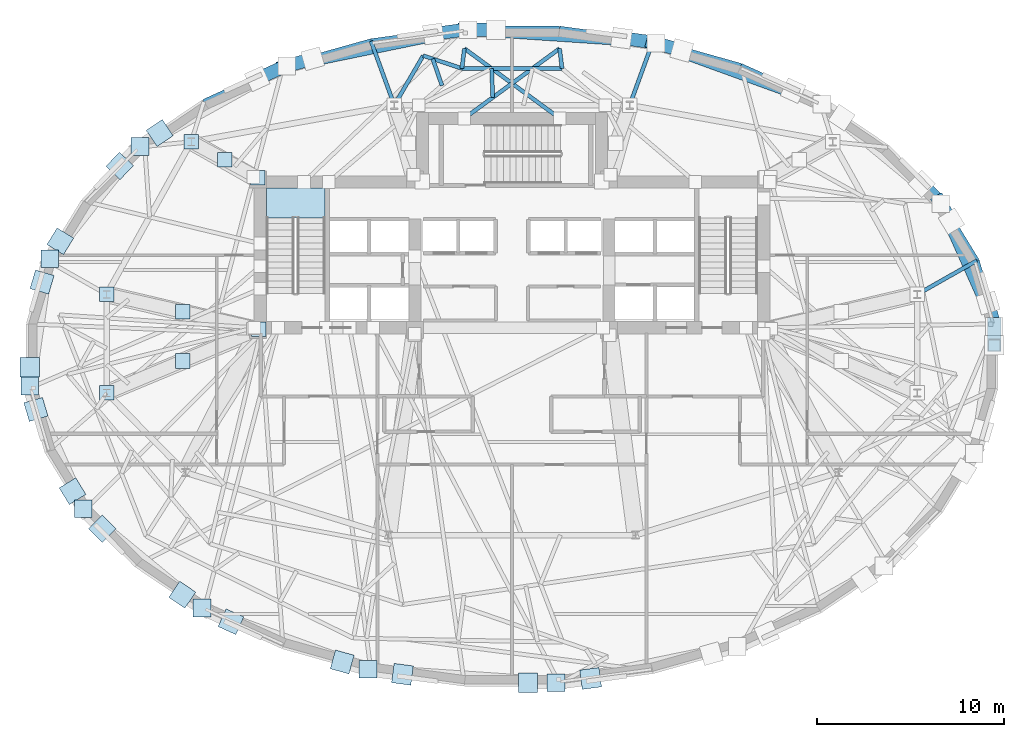
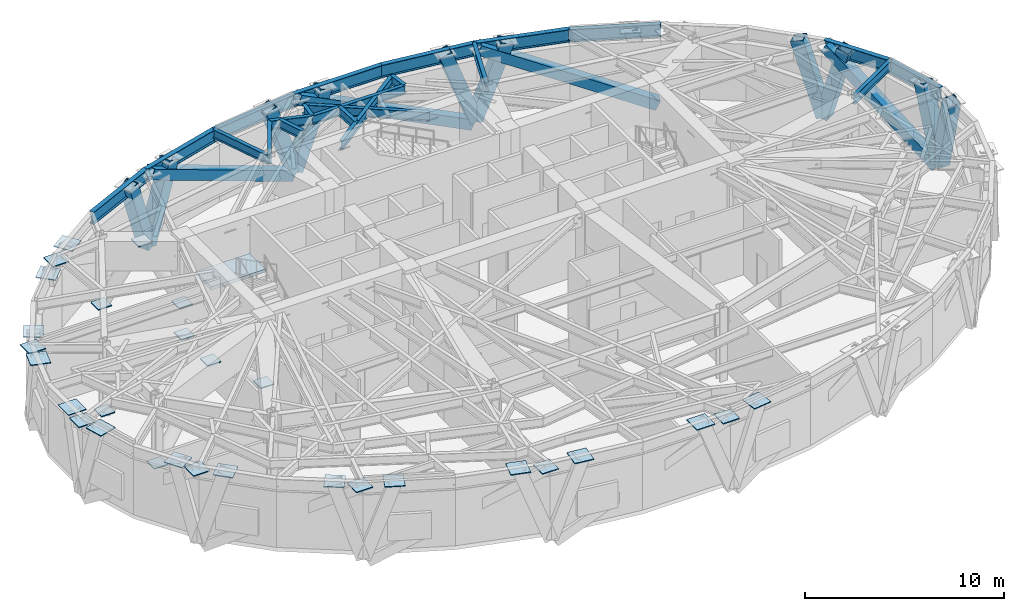
# One storey, part 5 of 13: 29 plates, 21 beams, 14 members, 1 slab, 1 element without a shape of its own.
"""IFC4 building model written with IfcOpenShell, lengths in metres."""

from ifc_helpers import new_model, si_unit, direction, frame, origin, origin_2d, place, context, subcontext, project, spatial, polyline, rectangle, hollow_rectangle, i_section, outline, extrude, material, layer, layer_set, material_profile, profile_set, type_object, element, aggregate, save


model = new_model("IFC4")

# Units and contexts
model_context = context("Model", 3, precision=1e-05, world=origin(), true_north=direction((0.0, 1.0)))
body_context = subcontext(model_context, "Body", "Model", "MODEL_VIEW")
ifc_project = project(units=[si_unit("LENGTHUNIT", "METRE"), si_unit("AREAUNIT", "SQUARE_METRE"), si_unit("VOLUMEUNIT", "CUBIC_METRE"), si_unit("PLANEANGLEUNIT", "RADIAN"), si_unit("MASSUNIT", "GRAM", prefix="KILO")], contexts=[model_context])

# Site, building, storey
site_placement = place(None, origin())
site = spatial("IfcSite", under=ifc_project, at=site_placement, CompositionType="ELEMENT")
building_placement = place(site_placement, origin())
building = spatial("IfcBuilding", under=site, at=building_placement, Name="Keldmark Tower", CompositionType="ELEMENT")
storey_placement = place(building_placement, frame((0.0, 0.0, 135.10009765625)))
storey = spatial("IfcBuildingStorey", under=building, at=storey_placement, Name="L36", CompositionType="ELEMENT", Elevation=135.10009765625)

# Members
ifc_material_1 = material(Name="Steel ASTM A572 Grade 50", Category="steel")
ifc_material_profile_1 = material_profile(ifc_material_1, hollow_rectangle(XDim=0.60009765625, YDim=0.60009765625, WallThickness=0.034912109375, at=origin_2d()), Name="BOX600X600X35")
ifc_profile_set_1 = profile_set([ifc_material_profile_1], Name="Steel ASTM A572 Grade 50")
member_type_1 = type_object("IfcMemberType", Name="Belt Truss Diagonal Brace BOX600", PredefinedType="BRACE", material=ifc_profile_set_1)
member_1_placement = place(storey_placement, frame((25.775390625, 1.856689453125, -0.5400390625), z_axis=(-0.342162647454, 0.763640785008, 0.547519382451), x_axis=(-0.912580273099, -0.408897597388, 0.0)))
element("IfcMember", 1, at=member_1_placement, inside=storey, type_object=member_type_1, Name="L36 Perimeter Belt Truss Brace 01", PredefinedType="BRACE", context=body_context, shape_type="SweptSolid", body=[
    extrude(hollow_rectangle(XDim=0.60009765625, YDim=0.60009765625, WallThickness=0.034912109375, at=origin_2d()), origin(), (0.0, 0.0, 1.0), 8.25537109375),
])
member_2_placement = place(storey_placement, frame((16.28662109375, 13.65087890625, -0.5400390625), z_axis=(-0.84258412922, 0.30492721603, 0.443927221638), x_axis=(-0.340296685426, -0.940318119515, 0.0)))
element("IfcMember", 2, at=member_2_placement, inside=storey, type_object=member_type_1, Name="L36 Perimeter Belt Truss Brace 03", PredefinedType="BRACE", context=body_context, shape_type="SweptSolid", body=[
    extrude(hollow_rectangle(XDim=0.60009765625, YDim=0.60009765625, WallThickness=0.034912109375, at=origin_2d()), origin(), (0.0, 0.0, 1.0), 10.181884765625),
])
member_3_placement = place(storey_placement, frame((7.330078125, 16.830810546875, -0.5400390625), z_axis=(-0.904448162584, 0.060241799636, 0.422308473483), x_axis=(-0.066458883344, -0.997789164516, 0.0)))
element("IfcMember", 3, at=member_3_placement, inside=storey, type_object=member_type_1, Name="L36 Perimeter Belt Truss Brace 04", PredefinedType="BRACE", context=body_context, shape_type="SweptSolid", body=[
    extrude(hollow_rectangle(XDim=0.60009765625, YDim=0.60009765625, WallThickness=0.034912109375, at=origin_2d()), origin(), (0.0, 0.0, 1.0), 10.703125),
])
member_4_placement = place(storey_placement, frame((-2.742431640625, 17.448486328125, -0.5400390625), z_axis=(-0.884550085139, -0.181847127087, 0.429537855434), x_axis=(0.201370198855, -0.979515208158, 0.0)))
element("IfcMember", 4, at=member_4_placement, inside=storey, type_object=member_type_1, Name="L36 Perimeter Belt Truss Brace 05", PredefinedType="BRACE", context=body_context, shape_type="SweptSolid", body=[
    extrude(hollow_rectangle(XDim=0.60009765625, YDim=0.60009765625, WallThickness=0.034912109375, at=origin_2d()), origin(), (0.0, 0.0, 1.0), 10.52294921875),
])
ifc_material_2 = material(Name="Steel ASTM A572 Grade 50", Category="steel")
ifc_material_profile_2 = material_profile(ifc_material_2, hollow_rectangle(XDim=0.699951171875, YDim=0.699951171875, WallThickness=0.044921875, at=origin_2d()), Name="BOX700X700X45")
ifc_profile_set_2 = profile_set([ifc_material_profile_2], Name="Steel ASTM A572 Grade 50")
member_type_2 = type_object("IfcMemberType", Name="Diagrid Zone 2 Brace BOX700X700X45", PredefinedType="BRACE", material=ifc_profile_set_2)
member_5_placement = place(storey_placement, frame((25.815185546875, 1.72119140625, -0.320068359375), z_axis=(-0.071577130516, 0.243773364239, 0.967187293793), x_axis=(-0.959494237083, -0.281728253829, 0.0)))
element("IfcMember", 5, at=member_5_placement, inside=storey, type_object=member_type_2, Name="L36 Perimeter Diagrid Brace 01A", PredefinedType="BRACE", context=body_context, shape_type="SweptSolid", body=[
    extrude(hollow_rectangle(XDim=0.699951171875, YDim=0.699951171875, WallThickness=0.044921875, at=origin_2d()), origin(), (0.0, 0.0, 1.0), 4.632080078125),
])
member_6_placement = place(storey_placement, frame((22.87255859375, 8.28857421875, -0.320068359375), z_axis=(0.139810250165, -0.228746999614, 0.963393950633), x_axis=(0.853247945999, 0.521505457928, 0.0)))
element("IfcMember", 6, at=member_6_placement, inside=storey, type_object=member_type_2, Name="L36 Perimeter Diagrid Brace 01B", PredefinedType="BRACE", context=body_context, shape_type="SweptSolid", body=[
    extrude(hollow_rectangle(XDim=0.699951171875, YDim=0.699951171875, WallThickness=0.044921875, at=origin_2d()), origin(), (0.0, 0.0, 1.0), 4.650146484375),
])
member_7_placement = place(storey_placement, frame((22.877197265625, 8.277587890625, -0.320068359375), z_axis=(-0.201839733277, 0.204710482005, 0.957786166442), x_axis=(-0.712082079642, -0.702096226918, 0.0)))
element("IfcMember", 7, at=member_7_placement, inside=storey, type_object=member_type_2, Name="L36 Perimeter Diagrid Brace 02A", PredefinedType="BRACE", context=body_context, shape_type="SweptSolid", body=[
    extrude(hollow_rectangle(XDim=0.699951171875, YDim=0.699951171875, WallThickness=0.044921875, at=origin_2d()), origin(), (0.0, 0.0, 1.0), 4.677490234375),
])
member_8_placement = place(storey_placement, frame((7.51904296875, 16.808349609375, -0.320068359375), z_axis=(0.329234184816, -0.092384269623, 0.939718041901), x_axis=(0.270168711569, 0.96281299705, 0.0)))
element("IfcMember", 8, at=member_8_placement, inside=storey, type_object=member_type_2, Name="L36 Perimeter Diagrid Brace 03B", PredefinedType="BRACE", context=body_context, shape_type="SweptSolid", body=[
    extrude(hollow_rectangle(XDim=0.699951171875, YDim=0.699951171875, WallThickness=0.044921875, at=origin_2d()), origin(), (0.0, 0.0, 1.0), 4.767333984375),
])
member_9_placement = place(storey_placement, frame((7.530029296875, 16.803955078125, -0.320068359375), z_axis=(-0.34821903324, 0.04693941547, 0.936237254207), x_axis=(-0.133590287898, -0.991036646638, 0.0)))
element("IfcMember", 9, at=member_9_placement, inside=storey, type_object=member_type_2, Name="L36 Perimeter Diagrid Brace 04A", PredefinedType="BRACE", context=body_context, shape_type="SweptSolid", body=[
    extrude(hollow_rectangle(XDim=0.699951171875, YDim=0.699951171875, WallThickness=0.044921875, at=origin_2d()), origin(), (0.0, 0.0, 1.0), 4.78515625),
])
member_10_placement = place(storey_placement, frame((-2.55419921875, 17.4755859375, -0.320068359375), z_axis=(0.354549778014, 0.0, 0.935037140925), x_axis=(0.0, 1.0, 0.0)))
element("IfcMember", 10, at=member_10_placement, inside=storey, type_object=member_type_2, Name="L36 Perimeter Diagrid Brace 04B", PredefinedType="BRACE", context=body_context, shape_type="SweptSolid", body=[
    extrude(hollow_rectangle(XDim=0.699951171875, YDim=0.699951171875, WallThickness=0.044921875, at=origin_2d()), origin(), (0.0, 0.0, 1.0), 4.791259765625),
])
member_11_placement = place(storey_placement, frame((-2.54248046875, 17.4755859375, -0.320068359375), z_axis=(-0.34821903324, -0.04693941547, 0.936237254207), x_axis=(0.133590287898, -0.991036646638, 0.0)))
element("IfcMember", 11, at=member_11_placement, inside=storey, type_object=member_type_2, Name="L36 Perimeter Diagrid Brace 05A", PredefinedType="BRACE", context=body_context, shape_type="SweptSolid", body=[
    extrude(hollow_rectangle(XDim=0.699951171875, YDim=0.699951171875, WallThickness=0.044921875, at=origin_2d()), origin(), (0.0, 0.0, 1.0), 4.78515625),
])
member_12_placement = place(storey_placement, frame((-12.239013671875, 15.482177734375, -0.320068359375), z_axis=(0.329279843453, 0.092382711911, 0.939702197101), x_axis=(-0.270129760861, 0.962823925906, 0.0)))
element("IfcMember", 12, at=member_12_placement, inside=storey, type_object=member_type_2, Name="L36 Perimeter Diagrid Brace 05B", PredefinedType="BRACE", context=body_context, shape_type="SweptSolid", body=[
    extrude(hollow_rectangle(XDim=0.699951171875, YDim=0.699951171875, WallThickness=0.044921875, at=origin_2d()), origin(), (0.0, 0.0, 1.0), 4.767333984375),
])
member_13_placement = place(storey_placement, frame((-12.22802734375, 15.486572265625, -0.320068359375), z_axis=(-0.297968595123, -0.134925288493, 0.944992001472), x_axis=(0.412497692818, -0.910958645285, 0.0)))
element("IfcMember", 13, at=member_13_placement, inside=storey, type_object=member_type_2, Name="L36 Perimeter Diagrid Brace 06A", PredefinedType="BRACE", context=body_context, shape_type="SweptSolid", body=[
    extrude(hollow_rectangle(XDim=0.699951171875, YDim=0.699951171875, WallThickness=0.044921875, at=origin_2d()), origin(), (0.0, 0.0, 1.0), 4.74072265625),
])
member_14_placement = place(storey_placement, frame((25.815185546875, 1.73291015625, -0.320068359375), z_axis=(0.0, -0.248913733545, 0.968525659574), x_axis=(1.0, 0.0, 0.0)))
element("IfcMember", 14, at=member_14_placement, inside=storey, type_object=member_type_2, Name="L36 Perimeter Diagrid Brace 16B", PredefinedType="BRACE", context=body_context, shape_type="SweptSolid", body=[
    extrude(hollow_rectangle(XDim=0.699951171875, YDim=0.699951171875, WallThickness=0.044921875, at=origin_2d()), origin(), (0.0, 0.0, 1.0), 4.62548828125),
])

# Beams
ifc_material_3 = material(Name="Steel ASTM A992 Grade 50", Category="steel")
ifc_material_profile_3 = material_profile(ifc_material_3, i_section(OverallWidth=0.2099609375, OverallDepth=0.537109375, WebThickness=0.010986328125, FlangeThickness=0.017333984375, at=origin_2d()), Name="W21X68")
ifc_profile_set_3 = profile_set([ifc_material_profile_3], Name="Steel ASTM A992 Grade 50")
beam_type_1 = type_object("IfcBeamType", Name="Radial Tie Girder W21X68", PredefinedType="BEAM", material=ifc_profile_set_3)
beam_1_placement = place(storey_placement, frame((2.67919921875, 15.398681640625, 4.011474609375), z_axis=(-1.0, 0.0, 0.0), x_axis=(0.0, -1.0, 0.0)))
element("IfcBeam", 15, at=beam_1_placement, inside=storey, type_object=beam_type_1, Name="L36 Perimeter Collector Ring Beam CRG1-M03", PredefinedType="BEAM", context=body_context, shape_type="SweptSolid", body=[
    extrude(i_section(OverallWidth=0.2099609375, OverallDepth=0.537109375, WebThickness=0.010986328125, FlangeThickness=0.017333984375, at=origin_2d()), origin(), (0.0, 0.0, 1.0), 5.3583984375),
])
beam_2_placement = place(storey_placement, frame((21.697021484375, 3.309814453125, 4.011474609375), z_axis=(0.869901017137, 0.493226337886, 0.0), x_axis=(-0.493226337886, 0.869901017137, 0.0)))
element("IfcBeam", 16, at=beam_2_placement, inside=storey, type_object=beam_type_1, Name="L36 Perimeter Column Bracket RT-02", PredefinedType="BEAM", context=body_context, shape_type="SweptSolid", body=[
    extrude(i_section(OverallWidth=0.2099609375, OverallDepth=0.537109375, WebThickness=0.010986328125, FlangeThickness=0.017333984375, at=origin_2d()), origin(), (0.0, 0.0, 1.0), 3.659423828125),
])
beam_3_placement = place(storey_placement, frame((6.298828125, 13.4326171875, 4.011474609375), z_axis=(0.342162052096, 0.939640958082, 0.0), x_axis=(-0.939640958082, 0.342162052096, 0.0)))
element("IfcBeam", 17, at=beam_3_placement, inside=storey, type_object=beam_type_1, Name="L36 Perimeter Column Bracket RT-07", PredefinedType="BEAM", context=body_context, shape_type="SweptSolid", body=[
    extrude(i_section(OverallWidth=0.2099609375, OverallDepth=0.537109375, WebThickness=0.010986328125, FlangeThickness=0.017333984375, at=origin_2d()), origin(), (0.0, 0.0, 1.0), 3.64892578125),
])
beam_4_placement = place(storey_placement, frame((-2.5625, 12.72509765625, 4.011474609375), z_axis=(0.806875286487, 0.590721822905, 0.0), x_axis=(-0.590721822905, 0.806875286487, 0.0)))
element("IfcBeam", 18, at=beam_4_placement, inside=storey, type_object=beam_type_1, Name="L36 Intermediate Radial Step Girder RT-08M", PredefinedType="BEAM", context=body_context, shape_type="SweptSolid", body=[
    extrude(i_section(OverallWidth=0.2099609375, OverallDepth=0.537109375, WebThickness=0.010986328125, FlangeThickness=0.017333984375, at=origin_2d()), origin(), (0.0, 0.0, 1.0), 6.334228515625),
])
beam_5_placement = place(storey_placement, frame((2.67919921875, 15.398681640625, 4.011474609375), z_axis=(-0.121605054099, 0.992578566572, 0.0), x_axis=(-0.992578566572, -0.121605054099, 0.0)))
element("IfcBeam", 19, at=beam_5_placement, inside=storey, type_object=beam_type_1, Name="L36 Local Collector Chord RT-08C", PredefinedType="BEAM", context=body_context, shape_type="SweptSolid", body=[
    extrude(i_section(OverallWidth=0.2099609375, OverallDepth=0.537109375, WebThickness=0.010986328125, FlangeThickness=0.017333984375, at=origin_2d()), origin(), (0.0, 0.0, 1.0), 1.076171875),
])
beam_6_placement = place(storey_placement, frame((-1.029296875, 13.84765625, 4.011474609375), z_axis=(-0.038692866844, 0.99925115064, 0.0), x_axis=(-0.99925115064, -0.038692866844, 0.0)))
element("IfcBeam", 20, at=beam_6_placement, inside=storey, type_object=beam_type_1, Name="L36 Framing Pin Header PH-019", PredefinedType="BEAM", context=body_context, shape_type="SweptSolid", body=[
    extrude(i_section(OverallWidth=0.2099609375, OverallDepth=0.537109375, WebThickness=0.010986328125, FlangeThickness=0.017333984375, at=origin_2d()), origin(), (0.0, 0.0, 1.0), 1.55224609375),
])
beam_7_placement = place(storey_placement, frame((2.5625, 12.72509765625, 4.011474609375), z_axis=(-0.806875286487, 0.590721822905, 0.0), x_axis=(-0.590721822905, -0.806875286487, 0.0)))
element("IfcBeam", 21, at=beam_7_placement, inside=storey, type_object=beam_type_1, Name="L36 Intermediate Radial Step Girder RT-09M", PredefinedType="BEAM", context=body_context, shape_type="SweptSolid", body=[
    extrude(i_section(OverallWidth=0.2099609375, OverallDepth=0.537109375, WebThickness=0.010986328125, FlangeThickness=0.017333984375, at=origin_2d()), origin(), (0.0, 0.0, 1.0), 6.334228515625),
])
beam_8_placement = place(storey_placement, frame((-2.67919921875, 15.398681640625, 4.011474609375), z_axis=(0.121605054099, 0.992578566572, 0.0), x_axis=(-0.992578566572, 0.121605054099, 0.0)))
element("IfcBeam", 22, at=beam_8_placement, inside=storey, type_object=beam_type_1, Name="L36 Local Collector Chord RT-09C", PredefinedType="BEAM", context=body_context, shape_type="SweptSolid", body=[
    extrude(i_section(OverallWidth=0.2099609375, OverallDepth=0.537109375, WebThickness=0.010986328125, FlangeThickness=0.017333984375, at=origin_2d()), origin(), (0.0, 0.0, 1.0), 1.076171875),
])
beam_9_placement = place(storey_placement, frame((-6.298828125, 13.4326171875, 4.011474609375), z_axis=(-0.342162052096, 0.939640958082, 0.0), x_axis=(-0.939640958082, -0.342162052096, 0.0)))
element("IfcBeam", 23, at=beam_9_placement, inside=storey, type_object=beam_type_1, Name="L36 Perimeter Column Bracket RT-10", PredefinedType="BEAM", context=body_context, shape_type="SweptSolid", body=[
    extrude(i_section(OverallWidth=0.2099609375, OverallDepth=0.537109375, WebThickness=0.010986328125, FlangeThickness=0.017333984375, at=origin_2d()), origin(), (0.0, 0.0, 1.0), 3.64892578125),
])
beam_10_placement = place(storey_placement, frame((-6.298828125, 13.4326171875, 4.011474609375), z_axis=(0.503228303976, 0.864153501456, 0.0), x_axis=(-0.864153501456, 0.503228303976, 0.0)))
element("IfcBeam", 24, at=beam_10_placement, inside=storey, type_object=beam_type_1, Name="L36 Column Step Bracket RT-09RS", PredefinedType="BEAM", context=body_context, shape_type="SweptSolid", body=[
    extrude(i_section(OverallWidth=0.2099609375, OverallDepth=0.537109375, WebThickness=0.010986328125, FlangeThickness=0.017333984375, at=origin_2d()), origin(), (0.0, 0.0, 1.0), 3.071044921875),
])
beam_11_placement = place(storey_placement, frame((-4.75341796875, 16.08642578125, 4.011474609375), z_axis=(0.949184845344, -0.314719127746, 0.0), x_axis=(0.314719127746, 0.949184845344, 0.0)))
element("IfcBeam", 25, at=beam_11_placement, inside=storey, type_object=beam_type_1, Name="L36 Column Step Chord RT-09RK", PredefinedType="BEAM", context=body_context, shape_type="SweptSolid", body=[
    extrude(i_section(OverallWidth=0.2099609375, OverallDepth=0.537109375, WebThickness=0.010986328125, FlangeThickness=0.017333984375, at=origin_2d()), origin(), (0.0, 0.0, 1.0), 2.185302734375),
])
beam_12_placement = place(storey_placement, frame((-3.747802734375, 14.487548828125, 4.011474609375), z_axis=(-0.326334024829, 0.945254518233, 0.0), x_axis=(-0.945254518233, -0.326334024829, 0.0)))
element("IfcBeam", 26, at=beam_12_placement, inside=storey, type_object=beam_type_1, Name="L36 Framing Pin Header PH-039", PredefinedType="BEAM", context=body_context, shape_type="SweptSolid", body=[
    extrude(i_section(OverallWidth=0.2099609375, OverallDepth=0.537109375, WebThickness=0.010986328125, FlangeThickness=0.017333984375, at=origin_2d()), origin(), (0.0, 0.0, 1.0), 1.511962890625),
])
ifc_material_4 = material(Name="Steel ASTM A992 Grade 50", Category="steel")
ifc_material_profile_4 = material_profile(ifc_material_4, i_section(OverallWidth=0.26806640625, OverallDepth=0.77001953125, WebThickness=0.015625, FlangeThickness=0.025390625, at=origin_2d()), Name="W30X132")
ifc_profile_set_4 = profile_set([ifc_material_profile_4], Name="Steel ASTM A992 Grade 50")
beam_type_2 = type_object("IfcBeamType", Name="Spandrel Ring Beam W30X132", PredefinedType="SPANDREL", material=ifc_profile_set_4)
beam_13_placement = place(storey_placement, frame((25.874755859375, 1.72705078125, 3.89501953125), z_axis=(-0.281645899487, 0.959518414259, 0.0), x_axis=(-0.959518414259, -0.281645899487, 0.0)))
element("IfcBeam", 27, at=beam_13_placement, inside=storey, type_object=beam_type_2, Name="L36 Perimeter Spandrel Ring Beam SRB-01", PredefinedType="SPANDREL", context=body_context, shape_type="SweptSolid", body=[
    extrude(i_section(OverallWidth=0.26806640625, OverallDepth=0.77001953125, WebThickness=0.015625, FlangeThickness=0.025390625, at=origin_2d()), origin(), (0.0, 0.0, 1.0), 3.530517578125),
])
beam_14_placement = place(storey_placement, frame((24.88037109375, 5.11474609375, 3.89501953125), z_axis=(-0.521505457928, 0.853247945999, 0.0), x_axis=(-0.853247945999, -0.521505457928, 0.0)))
element("IfcBeam", 28, at=beam_14_placement, inside=storey, type_object=beam_type_2, Name="L36 Perimeter Spandrel Ring Beam SRB-02", PredefinedType="SPANDREL", context=body_context, shape_type="SweptSolid", body=[
    extrude(i_section(OverallWidth=0.26806640625, OverallDepth=0.77001953125, WebThickness=0.015625, FlangeThickness=0.025390625, at=origin_2d()), origin(), (0.0, 0.0, 1.0), 3.739990234375),
])
beam_15_placement = place(storey_placement, frame((16.494140625, 13.620361328125, 3.89501953125), z_axis=(-0.910938924115, 0.412541242221, 0.0), x_axis=(-0.412541242221, -0.910938924115, 0.0)))
element("IfcBeam", 29, at=beam_15_placement, inside=storey, type_object=beam_type_2, Name="L36 Perimeter Spandrel Ring Beam SRB-05", PredefinedType="SPANDREL", context=body_context, shape_type="SweptSolid", body=[
    extrude(i_section(OverallWidth=0.26806640625, OverallDepth=0.77001953125, WebThickness=0.015625, FlangeThickness=0.025390625, at=origin_2d()), origin(), (0.0, 0.0, 1.0), 4.652099609375),
])
beam_16_placement = place(storey_placement, frame((12.25634765625, 15.53955078125, 3.89501953125), z_axis=(-0.962790668442, 0.270248272446, 0.0), x_axis=(-0.270248272446, -0.962790668442, 0.0)))
element("IfcBeam", 30, at=beam_16_placement, inside=storey, type_object=beam_type_2, Name="L36 Perimeter Spandrel Ring Beam SRB-06", PredefinedType="SPANDREL", context=body_context, shape_type="SweptSolid", body=[
    extrude(i_section(OverallWidth=0.26806640625, OverallDepth=0.77001953125, WebThickness=0.015625, FlangeThickness=0.025390625, at=origin_2d()), origin(), (0.0, 0.0, 1.0), 4.890869140625),
])
beam_17_placement = place(storey_placement, frame((7.54736328125, 16.861328125, 3.89501953125), z_axis=(-0.99103751038, 0.133583880086, 0.0), x_axis=(-0.133583880086, -0.99103751038, 0.0)))
element("IfcBeam", 31, at=beam_17_placement, inside=storey, type_object=beam_type_2, Name="L36 Perimeter Spandrel Ring Beam SRB-07", PredefinedType="SPANDREL", context=body_context, shape_type="SweptSolid", body=[
    extrude(i_section(OverallWidth=0.26806640625, OverallDepth=0.77001953125, WebThickness=0.015625, FlangeThickness=0.025390625, at=origin_2d()), origin(), (0.0, 0.0, 1.0), 5.044189453125),
])
beam_18_placement = place(storey_placement, frame((2.54833984375, 17.53515625, 3.89501953125), z_axis=(-1.0, 0.0, 0.0), x_axis=(0.0, -1.0, 0.0)))
element("IfcBeam", 32, at=beam_18_placement, inside=storey, type_object=beam_type_2, Name="L36 Perimeter Spandrel Ring Beam SRB-08", PredefinedType="SPANDREL", context=body_context, shape_type="SweptSolid", body=[
    extrude(i_section(OverallWidth=0.26806640625, OverallDepth=0.77001953125, WebThickness=0.015625, FlangeThickness=0.025390625, at=origin_2d()), origin(), (0.0, 0.0, 1.0), 5.0966796875),
])
beam_19_placement = place(storey_placement, frame((-2.54833984375, 17.53515625, 3.89501953125), z_axis=(-0.99103751038, -0.133583880086, 0.0), x_axis=(0.133583880086, -0.99103751038, 0.0)))
element("IfcBeam", 33, at=beam_19_placement, inside=storey, type_object=beam_type_2, Name="L36 Perimeter Spandrel Ring Beam SRB-09", PredefinedType="SPANDREL", context=body_context, shape_type="SweptSolid", body=[
    extrude(i_section(OverallWidth=0.26806640625, OverallDepth=0.77001953125, WebThickness=0.015625, FlangeThickness=0.025390625, at=origin_2d()), origin(), (0.0, 0.0, 1.0), 5.044189453125),
])
beam_20_placement = place(storey_placement, frame((-7.54736328125, 16.861328125, 3.89501953125), z_axis=(-0.962790668442, -0.270248272446, 0.0), x_axis=(0.270248272446, -0.962790668442, 0.0)))
element("IfcBeam", 34, at=beam_20_placement, inside=storey, type_object=beam_type_2, Name="L36 Perimeter Spandrel Ring Beam SRB-10", PredefinedType="SPANDREL", context=body_context, shape_type="SweptSolid", body=[
    extrude(i_section(OverallWidth=0.26806640625, OverallDepth=0.77001953125, WebThickness=0.015625, FlangeThickness=0.025390625, at=origin_2d()), origin(), (0.0, 0.0, 1.0), 4.890869140625),
])
beam_21_placement = place(storey_placement, frame((-12.25634765625, 15.53955078125, 3.89501953125), z_axis=(-0.910938924115, -0.412541242221, 0.0), x_axis=(0.412541242221, -0.910938924115, 0.0)))
element("IfcBeam", 35, at=beam_21_placement, inside=storey, type_object=beam_type_2, Name="L36 Perimeter Spandrel Ring Beam SRB-11", PredefinedType="SPANDREL", context=body_context, shape_type="SweptSolid", body=[
    extrude(i_section(OverallWidth=0.26806640625, OverallDepth=0.77001953125, WebThickness=0.015625, FlangeThickness=0.025390625, at=origin_2d()), origin(), (0.0, 0.0, 1.0), 4.652099609375),
])

# Plates
ifc_material_5 = material(Name="Steel ASTM A572 Grade 50", Category="steel")
ifc_layer_1 = layer(ifc_material_5, 0.06005859375)
ifc_layer_set_1 = layer_set([ifc_layer_1], Name="Steel ASTM A572 Grade 50")
plate_type_1 = type_object("IfcPlateType", Name="Belt Truss Kink Node Assembly KN01 60 mm", PredefinedType="USERDEFINED", material=ifc_layer_set_1)
for number, where, z_axis, x_axis, name in (
    (36, (-19.916015625, 11.229248046875, 3.949951171875), (0.0, 0.0, 1.0), (1.0, 0.0, 0.0), "L36 Belt Truss Kink Node 06B"),
    (37, (-24.74951171875, 5.214111328125, 3.949951171875), (0.0, 0.0, 1.0), (1.0, 0.0, 0.0), "L36 Belt Truss Kink Node 07B"),
    (38, (-25.815185546875, -1.5947265625, 3.949951171875), (0.0, 0.0, 1.0), (1.0, 0.0, 0.0), "L36 Belt Truss Kink Node 08B"),
    (39, (-22.95068359375, -8.160888671875, 3.949951171875), (0.0, 0.0, 1.0), (1.0, 0.0, 0.0), "L36 Belt Truss Kink Node 09B"),
    (40, (-16.592041015625, -13.484619140625, 3.949951171875), (0.0, 0.0, 1.0), (1.0, 0.0, 0.0), "L36 Belt Truss Kink Node 10B"),
    (41, (-7.70751953125, -16.755615234375, 3.949951171875), (0.0, 0.0, 1.0), (1.0, 0.0, 0.0), "L36 Belt Truss Kink Node 11B"),
    (42, (2.350341796875, -17.4755859375, 3.949951171875), (0.0, 0.0, 1.0), (1.0, 0.0, 0.0), "L36 Belt Truss Kink Node 12B"),
):
    element("IfcPlate", number, at=place(storey_placement, frame(where, z_axis=z_axis, x_axis=x_axis)), inside=storey, type_object=plate_type_1, Name=name, ObjectType="CAP PLATE", PredefinedType="USERDEFINED", context=body_context, shape_type="SweptSolid", body=[
        extrude(rectangle(XDim=0.949951171875, YDim=0.949951171875, at=origin_2d()), origin(), (0.0, 0.0, 1.0), 0.06005859375),
    ])
for number, where, z_axis, x_axis, name in (
    (43, (-13.550048828125, 1.449951171875, 0.119873046875), (0.0, 0.0, 1.0), (1.0, 0.0, 0.0), "L36 Outrigger Node Cap 01A0"),
    (44, (-17.623291015625, 2.3798828125, 3.949951171875), (0.0, 0.0, 1.0), (1.0, 0.0, 0.0), "L36 Outrigger Node Cap 01A1"),
    (45, (-21.697021484375, 3.309814453125, 0.119873046875), (0.0, 0.0, 1.0), (1.0, 0.0, 0.0), "L36 Outrigger Node Cap 01B0"),
    (46, (-17.623291015625, -0.258056640625, 3.949951171875), (0.0, 0.0, 1.0), (1.0, 0.0, 0.0), "L36 Outrigger Node Cap 02A1"),
    (47, (-21.697021484375, -1.9658203125, 0.119873046875), (0.0, 0.0, 1.0), (1.0, 0.0, 0.0), "L36 Outrigger Node Cap 02B0"),
    (48, (-13.60009765625, 9.550048828125, 0.119873046875), (0.0, 0.0, 1.0), (1.0, 0.0, 0.0), "L36 Outrigger Node Cap 03A0"),
    (49, (-15.383544921875, 10.51416015625, 3.949951171875), (0.0, 0.0, 1.0), (1.0, 0.0, 0.0), "L36 Outrigger Node Cap 03A1"),
    (50, (-17.1669921875, 11.478271484375, 0.119873046875), (0.0, 0.0, 1.0), (1.0, 0.0, 0.0), "L36 Outrigger Node Cap 03B0"),
):
    element("IfcPlate", number, at=place(storey_placement, frame(where, z_axis=z_axis, x_axis=x_axis)), inside=storey, type_object=plate_type_1, Name=name, ObjectType="CAP PLATE", PredefinedType="USERDEFINED", context=body_context, shape_type="SweptSolid", body=[
        extrude(rectangle(XDim=0.780029296875, YDim=0.780029296875, at=origin_2d()), origin(), (0.0, 0.0, 1.0), 0.06005859375),
    ])
ifc_material_6 = material(Name="Steel ASTM A572 Grade 50", Category="steel")
ifc_layer_2 = layer(ifc_material_6, 0.054931640625)
ifc_layer_set_2 = layer_set([ifc_layer_2], Name="Steel ASTM A572 Grade 50")
plate_type_2 = type_object("IfcPlateType", Name="Diagrid Node Assembly DN03 55 mm", PredefinedType="USERDEFINED", material=ifc_layer_set_2)
for number, where, z_axis, x_axis, name in (
    (51, (-18.85888671875, 11.94580078125, 4.13232421875), (0.0, 0.0, 1.0), (-0.827864584251, -0.560928007986, 0.0), "L36 Diagrid Node Assembly 12"),
    (52, (-20.995849609375, 10.1826171875, 4.13232421875), (0.0, 0.0, 1.0), (-0.702153052995, -0.712026045991, 0.0), "L36 Diagrid Node Assembly 13"),
    (53, (-24.177490234375, 6.150146484375, 4.13232421875), (0.0, 0.0, 1.0), (-0.521456478554, -0.85327788028, 0.0), "L36 Diagrid Node Assembly 14"),
    (54, (-25.154541015625, 3.96826171875, 4.13232421875), (0.0, 0.0, 1.0), (-0.281671660596, -0.959510852267, 0.0), "L36 Diagrid Node Assembly 15"),
    (55, (-25.815185546875, -0.58154296875, 4.13232421875), (0.0, 0.0, 1.0), (0.0, -1.0, 0.0), "L36 Diagrid Node Assembly 16"),
    (56, (-25.483642578125, -2.850341796875, 4.13232421875), (0.0, 0.0, 1.0), (0.281671660596, -0.959510852267, 0.0), "L36 Diagrid Node Assembly 17"),
    (57, (-23.522705078125, -7.224853515625, 4.13232421875), (0.0, 0.0, 1.0), (0.521456478554, -0.85327788028, 0.0), "L36 Diagrid Node Assembly 18"),
    (58, (-21.93310546875, -9.235107421875, 4.13232421875), (0.0, 0.0, 1.0), (0.702153052995, -0.712026045991, 0.0), "L36 Diagrid Node Assembly 19"),
    (59, (-17.649169921875, -12.768310546875, 4.13232421875), (0.0, 0.0, 1.0), (0.827864584251, -0.560928007986, 0.0), "L36 Diagrid Node Assembly 20"),
    (60, (-15.04345703125, -14.213623046875, 4.13232421875), (0.0, 0.0, 1.0), (0.910971840153, -0.412468552072, 0.0), "L36 Diagrid Node Assembly 21"),
    (61, (-9.088623046875, -16.367919921875, 4.13232421875), (0.0, 0.0, 1.0), (0.962786145149, -0.270264386684, 0.0), "L36 Diagrid Node Assembly 22"),
    (62, (-5.86376953125, -17.028564453125, 4.13232421875), (0.0, 0.0, 1.0), (0.991029909341, -0.133640258869, 0.0), "L36 Diagrid Node Assembly 23"),
    (63, (0.85546875, -17.4755859375, 4.13232421875), (0.0, 0.0, 1.0), (1.0, 0.0, 0.0), "L36 Diagrid Node Assembly 24"),
    (64, (4.208740234375, -17.2509765625, 4.13232421875), (0.0, 0.0, 1.0), (0.991029909341, 0.133640258869, 0.0), "L36 Diagrid Node Assembly 25"),
):
    element("IfcPlate", number, at=place(storey_placement, frame(where, z_axis=z_axis, x_axis=x_axis)), inside=storey, type_object=plate_type_2, Name=name, ObjectType="GUSSET", PredefinedType="USERDEFINED", context=body_context, shape_type="SweptSolid", body=[
        extrude(rectangle(XDim=1.0400390625, YDim=1.0400390625, at=origin_2d()), origin(), (0.0, 0.0, 1.0), 0.054931640625),
    ])

# Stair, slab
ifc_material_7 = material(Name="Concrete C40/50", Category="concrete")
stair_type = type_object("IfcStairType", Name="Precast Concrete Core Exit Stair", PredefinedType="HALF_TURN_STAIR", material=ifc_material_7)
stair_placement = place(storey_placement, origin())
stair = element("IfcStair", 65, at=stair_placement, inside=storey, type_object=stair_type, Name="L36 Exit Stair ST1", PredefinedType="HALF_TURN_STAIR")
ifc_material_8 = material(Name="Concrete C40/50", Category="concrete")
ifc_layer_3 = layer(ifc_material_8, 0.199951171875)
ifc_layer_set_3 = layer_set([ifc_layer_3], Name="Concrete C40/50")
slab_type = type_object("IfcSlabType", Name="Reinforced Concrete Stair Landing 200 mm", PredefinedType="LANDING", material=ifc_layer_set_3)
slab_placement = place(storey_placement, frame((0.0, 0.0, 2.0498046875)))
slab = element("IfcSlab", 66, at=slab_placement, type_object=slab_type, Name="ST1 landing 1", PredefinedType="LANDING", context=body_context, shape_type="SweptSolid", body=[
    extrude(outline(polyline([(-10.0, 7.409912109375), (-10.0, 9.0), (-13.14990234375, 9.0), (-13.14990234375, 7.409912109375), (-10.0, 7.409912109375)])), origin(), (0.0, 0.0, 1.0), 0.2001953125),
])
aggregate(stair, [slab])

save(model, "model.ifc")
